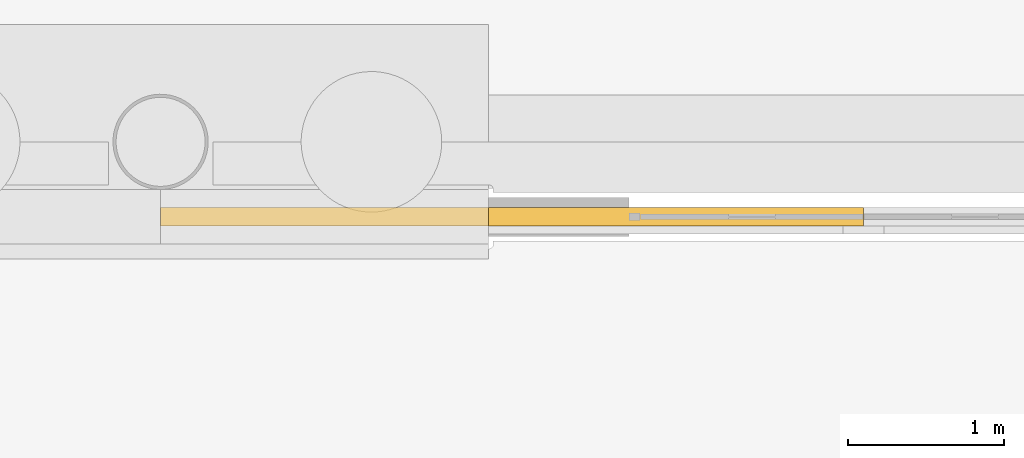
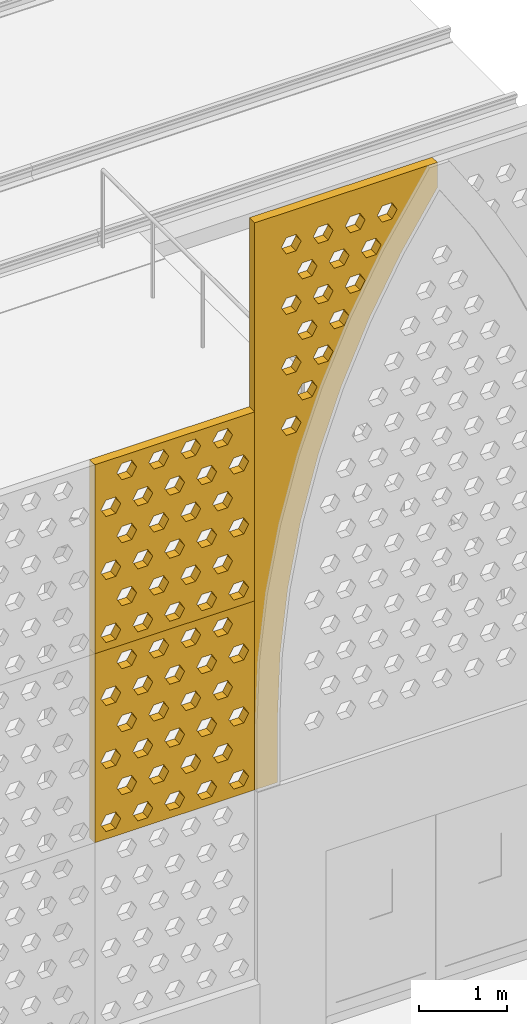
# One storey, part 212 of 250: 3 shading devices.
"""IFC4 building model written with IfcOpenShell, lengths in metres."""

from ifc_helpers import new_model, si_unit, direction, frame, origin, place, context, subcontext, project, spatial, polyline, outline, extrude, material, layer, layer_set, type_object, element, save


model = new_model("IFC4")

# Units and contexts
model_context = context("Model", 3, precision=1e-05, world=origin(), true_north=direction((0.0, 1.0)))
body_context = subcontext(model_context, "Body", "Model", "MODEL_VIEW")
ifc_project = project(units=[si_unit("LENGTHUNIT", "METRE"), si_unit("AREAUNIT", "SQUARE_METRE"), si_unit("VOLUMEUNIT", "CUBIC_METRE"), si_unit("PLANEANGLEUNIT", "RADIAN"), si_unit("MASSUNIT", "GRAM", prefix="KILO")], contexts=[model_context])

# Site, building, storey
site_placement = place(None, origin())
site = spatial("IfcSite", under=ifc_project, at=site_placement, CompositionType="ELEMENT")
building_placement = place(site_placement, origin())
building = spatial("IfcBuilding", under=site, at=building_placement, Name="Baradari Gate Terminus", CompositionType="ELEMENT")
storey_placement = place(building_placement, origin())
storey = spatial("IfcBuildingStorey", under=building, at=storey_placement, Name="L00", CompositionType="ELEMENT", Elevation=0.0)

# Shading devices
ifc_material = material(Name="Concrete C50/60 precast", Category="concrete")
ifc_layer = layer(ifc_material, 0.1201171875)
ifc_layer_set = layer_set([ifc_layer], Name="Concrete C50/60 precast")
shading_device_type = type_object("IfcShadingDeviceType", Name="Jali screen panel JS-2 120", PredefinedType="SHUTTER", material=ifc_layer_set)
shading_device_1_placement = place(storey_placement, frame((234.0, 35.52001953125, 3.52490234375), z_axis=(0.0, 0.0, 1.0), x_axis=(1.0, 0.0, 0.0)))
element("IfcShadingDevice", 1, at=shading_device_1_placement, inside=storey, type_object=shading_device_type, Name="Jali screen panel JS-2 SC09a row 2 panel 1", PredefinedType="SHUTTER", context=body_context, shape_type="SweptSolid", body=[
    extrude(outline(polyline([(0.0, 0.0), (2.10009765625, 0.0), (2.10009765625, 2.625), (0.0, 2.625), (0.0, 0.0)]), holes=[polyline([(0.340087890625, 0.21875), (0.27490234375, 0.106201171875), (0.14501953125, 0.106201171875), (0.080078125, 0.21875), (0.14501953125, 0.33154296875), (0.27490234375, 0.33154296875), (0.340087890625, 0.21875)]), polyline([(0.760009765625, 0.21875), (0.695068359375, 0.106201171875), (0.56494140625, 0.106201171875), (0.5, 0.21875), (0.56494140625, 0.33154296875), (0.695068359375, 0.33154296875), (0.760009765625, 0.21875)]), polyline([(1.179931640625, 0.21875), (1.114990234375, 0.106201171875), (0.985107421875, 0.106201171875), (0.919921875, 0.21875), (0.985107421875, 0.33154296875), (1.114990234375, 0.33154296875), (1.179931640625, 0.21875)]), polyline([(1.60009765625, 0.21875), (1.534912109375, 0.106201171875), (1.405029296875, 0.106201171875), (1.340087890625, 0.21875), (1.405029296875, 0.33154296875), (1.534912109375, 0.33154296875), (1.60009765625, 0.21875)]), polyline([(2.02001953125, 0.21875), (1.955078125, 0.106201171875), (1.824951171875, 0.106201171875), (1.760009765625, 0.21875), (1.824951171875, 0.33154296875), (1.955078125, 0.33154296875), (2.02001953125, 0.21875)]), polyline([(0.550048828125, 0.65625), (0.485107421875, 0.543701171875), (0.35498046875, 0.543701171875), (0.2900390625, 0.65625), (0.35498046875, 0.76904296875), (0.485107421875, 0.76904296875), (0.550048828125, 0.65625)]), polyline([(0.969970703125, 0.65625), (0.905029296875, 0.543701171875), (0.77490234375, 0.543701171875), (0.7099609375, 0.65625), (0.77490234375, 0.76904296875), (0.905029296875, 0.76904296875), (0.969970703125, 0.65625)]), polyline([(1.389892578125, 0.65625), (1.324951171875, 0.543701171875), (1.195068359375, 0.543701171875), (1.1298828125, 0.65625), (1.195068359375, 0.76904296875), (1.324951171875, 0.76904296875), (1.389892578125, 0.65625)]), polyline([(1.81005859375, 0.65625), (1.7451171875, 0.543701171875), (1.614990234375, 0.543701171875), (1.550048828125, 0.65625), (1.614990234375, 0.76904296875), (1.7451171875, 0.76904296875), (1.81005859375, 0.65625)]), polyline([(0.340087890625, 1.09375), (0.27490234375, 0.981201171875), (0.14501953125, 0.981201171875), (0.080078125, 1.09375), (0.14501953125, 1.20654296875), (0.27490234375, 1.20654296875), (0.340087890625, 1.09375)]), polyline([(0.760009765625, 1.09375), (0.695068359375, 0.981201171875), (0.56494140625, 0.981201171875), (0.5, 1.09375), (0.56494140625, 1.20654296875), (0.695068359375, 1.20654296875), (0.760009765625, 1.09375)]), polyline([(1.179931640625, 1.09375), (1.114990234375, 0.981201171875), (0.985107421875, 0.981201171875), (0.919921875, 1.09375), (0.985107421875, 1.20654296875), (1.114990234375, 1.20654296875), (1.179931640625, 1.09375)]), polyline([(1.60009765625, 1.09375), (1.534912109375, 0.981201171875), (1.405029296875, 0.981201171875), (1.340087890625, 1.09375), (1.405029296875, 1.20654296875), (1.534912109375, 1.20654296875), (1.60009765625, 1.09375)]), polyline([(2.02001953125, 1.09375), (1.955078125, 0.981201171875), (1.824951171875, 0.981201171875), (1.760009765625, 1.09375), (1.824951171875, 1.20654296875), (1.955078125, 1.20654296875), (2.02001953125, 1.09375)]), polyline([(0.550048828125, 1.53125), (0.485107421875, 1.418701171875), (0.35498046875, 1.418701171875), (0.2900390625, 1.53125), (0.35498046875, 1.64404296875), (0.485107421875, 1.64404296875), (0.550048828125, 1.53125)]), polyline([(0.969970703125, 1.53125), (0.905029296875, 1.418701171875), (0.77490234375, 1.418701171875), (0.7099609375, 1.53125), (0.77490234375, 1.64404296875), (0.905029296875, 1.64404296875), (0.969970703125, 1.53125)]), polyline([(1.389892578125, 1.53125), (1.324951171875, 1.418701171875), (1.195068359375, 1.418701171875), (1.1298828125, 1.53125), (1.195068359375, 1.64404296875), (1.324951171875, 1.64404296875), (1.389892578125, 1.53125)]), polyline([(1.81005859375, 1.53125), (1.7451171875, 1.418701171875), (1.614990234375, 1.418701171875), (1.550048828125, 1.53125), (1.614990234375, 1.64404296875), (1.7451171875, 1.64404296875), (1.81005859375, 1.53125)]), polyline([(0.340087890625, 1.96875), (0.27490234375, 1.856201171875), (0.14501953125, 1.856201171875), (0.080078125, 1.96875), (0.14501953125, 2.08154296875), (0.27490234375, 2.08154296875), (0.340087890625, 1.96875)]), polyline([(0.760009765625, 1.96875), (0.695068359375, 1.856201171875), (0.56494140625, 1.856201171875), (0.5, 1.96875), (0.56494140625, 2.08154296875), (0.695068359375, 2.08154296875), (0.760009765625, 1.96875)]), polyline([(1.179931640625, 1.96875), (1.114990234375, 1.856201171875), (0.985107421875, 1.856201171875), (0.919921875, 1.96875), (0.985107421875, 2.08154296875), (1.114990234375, 2.08154296875), (1.179931640625, 1.96875)]), polyline([(1.60009765625, 1.96875), (1.534912109375, 1.856201171875), (1.405029296875, 1.856201171875), (1.340087890625, 1.96875), (1.405029296875, 2.08154296875), (1.534912109375, 2.08154296875), (1.60009765625, 1.96875)]), polyline([(2.02001953125, 1.96875), (1.955078125, 1.856201171875), (1.824951171875, 1.856201171875), (1.760009765625, 1.96875), (1.824951171875, 2.08154296875), (1.955078125, 2.08154296875), (2.02001953125, 1.96875)]), polyline([(0.550048828125, 2.40625), (0.485107421875, 2.293701171875), (0.35498046875, 2.293701171875), (0.2900390625, 2.40625), (0.35498046875, 2.51904296875), (0.485107421875, 2.51904296875), (0.550048828125, 2.40625)]), polyline([(0.969970703125, 2.40625), (0.905029296875, 2.293701171875), (0.77490234375, 2.293701171875), (0.7099609375, 2.40625), (0.77490234375, 2.51904296875), (0.905029296875, 2.51904296875), (0.969970703125, 2.40625)]), polyline([(1.389892578125, 2.40625), (1.324951171875, 2.293701171875), (1.195068359375, 2.293701171875), (1.1298828125, 2.40625), (1.195068359375, 2.51904296875), (1.324951171875, 2.51904296875), (1.389892578125, 2.40625)]), polyline([(1.81005859375, 2.40625), (1.7451171875, 2.293701171875), (1.614990234375, 2.293701171875), (1.550048828125, 2.40625), (1.614990234375, 2.51904296875), (1.7451171875, 2.51904296875), (1.81005859375, 2.40625)])]), frame((0.0, 0.06005859375, 0.0), z_axis=(0.0, -1.0, 0.0), x_axis=(1.0, 0.0, 0.0)), (0.0, 0.0, 1.0), 0.1201171875),
])
shading_device_2_placement = place(storey_placement, frame((234.0, 35.52001953125, 6.14990234375), z_axis=(0.0, 0.0, 1.0), x_axis=(1.0, 0.0, 0.0)))
element("IfcShadingDevice", 2, at=shading_device_2_placement, inside=storey, type_object=shading_device_type, Name="Jali screen panel JS-2 SC09a row 3 panel 1", PredefinedType="SHUTTER", context=body_context, shape_type="SweptSolid", body=[
    extrude(outline(polyline([(0.0, 0.0), (2.10009765625, 0.0), (2.10009765625, 2.625), (0.0, 2.625), (0.0, 0.0)]), holes=[polyline([(0.340087890625, 0.21875), (0.27490234375, 0.106201171875), (0.14501953125, 0.106201171875), (0.080078125, 0.21875), (0.14501953125, 0.33154296875), (0.27490234375, 0.33154296875), (0.340087890625, 0.21875)]), polyline([(0.760009765625, 0.21875), (0.695068359375, 0.106201171875), (0.56494140625, 0.106201171875), (0.5, 0.21875), (0.56494140625, 0.33154296875), (0.695068359375, 0.33154296875), (0.760009765625, 0.21875)]), polyline([(1.179931640625, 0.21875), (1.114990234375, 0.106201171875), (0.985107421875, 0.106201171875), (0.919921875, 0.21875), (0.985107421875, 0.33154296875), (1.114990234375, 0.33154296875), (1.179931640625, 0.21875)]), polyline([(1.60009765625, 0.21875), (1.534912109375, 0.106201171875), (1.405029296875, 0.106201171875), (1.340087890625, 0.21875), (1.405029296875, 0.33154296875), (1.534912109375, 0.33154296875), (1.60009765625, 0.21875)]), polyline([(2.02001953125, 0.21875), (1.955078125, 0.106201171875), (1.824951171875, 0.106201171875), (1.760009765625, 0.21875), (1.824951171875, 0.33154296875), (1.955078125, 0.33154296875), (2.02001953125, 0.21875)]), polyline([(0.550048828125, 0.65625), (0.485107421875, 0.543701171875), (0.35498046875, 0.543701171875), (0.2900390625, 0.65625), (0.35498046875, 0.76904296875), (0.485107421875, 0.76904296875), (0.550048828125, 0.65625)]), polyline([(0.969970703125, 0.65625), (0.905029296875, 0.543701171875), (0.77490234375, 0.543701171875), (0.7099609375, 0.65625), (0.77490234375, 0.76904296875), (0.905029296875, 0.76904296875), (0.969970703125, 0.65625)]), polyline([(1.389892578125, 0.65625), (1.324951171875, 0.543701171875), (1.195068359375, 0.543701171875), (1.1298828125, 0.65625), (1.195068359375, 0.76904296875), (1.324951171875, 0.76904296875), (1.389892578125, 0.65625)]), polyline([(1.81005859375, 0.65625), (1.7451171875, 0.543701171875), (1.614990234375, 0.543701171875), (1.550048828125, 0.65625), (1.614990234375, 0.76904296875), (1.7451171875, 0.76904296875), (1.81005859375, 0.65625)]), polyline([(0.340087890625, 1.09375), (0.27490234375, 0.981201171875), (0.14501953125, 0.981201171875), (0.080078125, 1.09375), (0.14501953125, 1.20654296875), (0.27490234375, 1.20654296875), (0.340087890625, 1.09375)]), polyline([(0.760009765625, 1.09375), (0.695068359375, 0.981201171875), (0.56494140625, 0.981201171875), (0.5, 1.09375), (0.56494140625, 1.20654296875), (0.695068359375, 1.20654296875), (0.760009765625, 1.09375)]), polyline([(1.179931640625, 1.09375), (1.114990234375, 0.981201171875), (0.985107421875, 0.981201171875), (0.919921875, 1.09375), (0.985107421875, 1.20654296875), (1.114990234375, 1.20654296875), (1.179931640625, 1.09375)]), polyline([(1.60009765625, 1.09375), (1.534912109375, 0.981201171875), (1.405029296875, 0.981201171875), (1.340087890625, 1.09375), (1.405029296875, 1.20654296875), (1.534912109375, 1.20654296875), (1.60009765625, 1.09375)]), polyline([(2.02001953125, 1.09375), (1.955078125, 0.981201171875), (1.824951171875, 0.981201171875), (1.760009765625, 1.09375), (1.824951171875, 1.20654296875), (1.955078125, 1.20654296875), (2.02001953125, 1.09375)]), polyline([(0.550048828125, 1.53125), (0.485107421875, 1.418701171875), (0.35498046875, 1.418701171875), (0.2900390625, 1.53125), (0.35498046875, 1.64404296875), (0.485107421875, 1.64404296875), (0.550048828125, 1.53125)]), polyline([(0.969970703125, 1.53125), (0.905029296875, 1.418701171875), (0.77490234375, 1.418701171875), (0.7099609375, 1.53125), (0.77490234375, 1.64404296875), (0.905029296875, 1.64404296875), (0.969970703125, 1.53125)]), polyline([(1.389892578125, 1.53125), (1.324951171875, 1.418701171875), (1.195068359375, 1.418701171875), (1.1298828125, 1.53125), (1.195068359375, 1.64404296875), (1.324951171875, 1.64404296875), (1.389892578125, 1.53125)]), polyline([(1.81005859375, 1.53125), (1.7451171875, 1.418701171875), (1.614990234375, 1.418701171875), (1.550048828125, 1.53125), (1.614990234375, 1.64404296875), (1.7451171875, 1.64404296875), (1.81005859375, 1.53125)]), polyline([(0.340087890625, 1.96875), (0.27490234375, 1.856201171875), (0.14501953125, 1.856201171875), (0.080078125, 1.96875), (0.14501953125, 2.08154296875), (0.27490234375, 2.08154296875), (0.340087890625, 1.96875)]), polyline([(0.760009765625, 1.96875), (0.695068359375, 1.856201171875), (0.56494140625, 1.856201171875), (0.5, 1.96875), (0.56494140625, 2.08154296875), (0.695068359375, 2.08154296875), (0.760009765625, 1.96875)]), polyline([(1.179931640625, 1.96875), (1.114990234375, 1.856201171875), (0.985107421875, 1.856201171875), (0.919921875, 1.96875), (0.985107421875, 2.08154296875), (1.114990234375, 2.08154296875), (1.179931640625, 1.96875)]), polyline([(1.60009765625, 1.96875), (1.534912109375, 1.856201171875), (1.405029296875, 1.856201171875), (1.340087890625, 1.96875), (1.405029296875, 2.08154296875), (1.534912109375, 2.08154296875), (1.60009765625, 1.96875)]), polyline([(2.02001953125, 1.96875), (1.955078125, 1.856201171875), (1.824951171875, 1.856201171875), (1.760009765625, 1.96875), (1.824951171875, 2.08154296875), (1.955078125, 2.08154296875), (2.02001953125, 1.96875)]), polyline([(0.550048828125, 2.40625), (0.485107421875, 2.293701171875), (0.35498046875, 2.293701171875), (0.2900390625, 2.40625), (0.35498046875, 2.51904296875), (0.485107421875, 2.51904296875), (0.550048828125, 2.40625)]), polyline([(0.969970703125, 2.40625), (0.905029296875, 2.293701171875), (0.77490234375, 2.293701171875), (0.7099609375, 2.40625), (0.77490234375, 2.51904296875), (0.905029296875, 2.51904296875), (0.969970703125, 2.40625)]), polyline([(1.389892578125, 2.40625), (1.324951171875, 2.293701171875), (1.195068359375, 2.293701171875), (1.1298828125, 2.40625), (1.195068359375, 2.51904296875), (1.324951171875, 2.51904296875), (1.389892578125, 2.40625)]), polyline([(1.81005859375, 2.40625), (1.7451171875, 2.293701171875), (1.614990234375, 2.293701171875), (1.550048828125, 2.40625), (1.614990234375, 2.51904296875), (1.7451171875, 2.51904296875), (1.81005859375, 2.40625)])]), frame((0.0, 0.06005859375, 0.0), z_axis=(0.0, -1.0, 0.0), x_axis=(1.0, 0.0, 0.0)), (0.0, 0.0, 1.0), 0.1201171875),
])
shading_device_3_placement = place(storey_placement, frame((236.10009765625, 35.52001953125, 3.52490234375), z_axis=(0.0, 0.0, 1.0), x_axis=(1.0, 0.0, 0.0)))
element("IfcShadingDevice", 3, at=shading_device_3_placement, inside=storey, type_object=shading_device_type, Name="Jali screen panel JS-2 SC09b arch L1", PredefinedType="SHUTTER", context=body_context, shape_type="SweptSolid", body=[
    extrude(outline(polyline([(0.0, 0.0), (0.300048828125, 0.0), (0.300048828125, 0.900146484375), (0.333740234375, 1.78173828125), (0.435302734375, 2.658203125), (0.603515625, 3.5244140625), (0.837646484375, 4.375), (1.13623046875, 5.205322265625), (1.49755859375, 6.01025390625), (1.919677734375, 6.784912109375), (2.39990234375, 7.525146484375), (2.39990234375, 7.875), (0.0, 7.875), (0.0, 0.0)]), holes=[polyline([(0.610107421875, 4.89013671875), (0.544921875, 4.777587890625), (0.4150390625, 4.777587890625), (0.35009765625, 4.89013671875), (0.4150390625, 5.002685546875), (0.544921875, 5.002685546875), (0.610107421875, 4.89013671875)]), polyline([(0.820068359375, 5.31005859375), (0.7548828125, 5.197509765625), (0.625, 5.197509765625), (0.56005859375, 5.31005859375), (0.625, 5.422607421875), (0.7548828125, 5.422607421875), (0.820068359375, 5.31005859375)]), polyline([(0.610107421875, 5.72998046875), (0.544921875, 5.617431640625), (0.4150390625, 5.617431640625), (0.35009765625, 5.72998046875), (0.4150390625, 5.8427734375), (0.544921875, 5.8427734375), (0.610107421875, 5.72998046875)]), polyline([(1.030029296875, 5.72998046875), (0.965087890625, 5.617431640625), (0.8349609375, 5.617431640625), (0.77001953125, 5.72998046875), (0.8349609375, 5.8427734375), (0.965087890625, 5.8427734375), (1.030029296875, 5.72998046875)]), polyline([(0.820068359375, 6.150146484375), (0.7548828125, 6.03759765625), (0.625, 6.03759765625), (0.56005859375, 6.150146484375), (0.625, 6.2626953125), (0.7548828125, 6.2626953125), (0.820068359375, 6.150146484375)]), polyline([(1.239990234375, 6.150146484375), (1.175048828125, 6.03759765625), (1.044921875, 6.03759765625), (0.97998046875, 6.150146484375), (1.044921875, 6.2626953125), (1.175048828125, 6.2626953125), (1.239990234375, 6.150146484375)]), polyline([(0.610107421875, 6.570068359375), (0.544921875, 6.45751953125), (0.4150390625, 6.45751953125), (0.35009765625, 6.570068359375), (0.4150390625, 6.6826171875), (0.544921875, 6.6826171875), (0.610107421875, 6.570068359375)]), polyline([(1.030029296875, 6.570068359375), (0.965087890625, 6.45751953125), (0.8349609375, 6.45751953125), (0.77001953125, 6.570068359375), (0.8349609375, 6.6826171875), (0.965087890625, 6.6826171875), (1.030029296875, 6.570068359375)]), polyline([(1.449951171875, 6.570068359375), (1.385009765625, 6.45751953125), (1.2548828125, 6.45751953125), (1.18994140625, 6.570068359375), (1.2548828125, 6.6826171875), (1.385009765625, 6.6826171875), (1.449951171875, 6.570068359375)]), polyline([(0.820068359375, 6.989990234375), (0.7548828125, 6.87744140625), (0.625, 6.87744140625), (0.56005859375, 6.989990234375), (0.625, 7.102783203125), (0.7548828125, 7.102783203125), (0.820068359375, 6.989990234375)]), polyline([(1.239990234375, 6.989990234375), (1.175048828125, 6.87744140625), (1.044921875, 6.87744140625), (0.97998046875, 6.989990234375), (1.044921875, 7.102783203125), (1.175048828125, 7.102783203125), (1.239990234375, 6.989990234375)]), polyline([(1.659912109375, 6.989990234375), (1.594970703125, 6.87744140625), (1.465087890625, 6.87744140625), (1.39990234375, 6.989990234375), (1.465087890625, 7.102783203125), (1.594970703125, 7.102783203125), (1.659912109375, 6.989990234375)]), polyline([(0.610107421875, 7.41015625), (0.544921875, 7.297607421875), (0.4150390625, 7.297607421875), (0.35009765625, 7.41015625), (0.4150390625, 7.522705078125), (0.544921875, 7.522705078125), (0.610107421875, 7.41015625)]), polyline([(1.030029296875, 7.41015625), (0.965087890625, 7.297607421875), (0.8349609375, 7.297607421875), (0.77001953125, 7.41015625), (0.8349609375, 7.522705078125), (0.965087890625, 7.522705078125), (1.030029296875, 7.41015625)]), polyline([(1.449951171875, 7.41015625), (1.385009765625, 7.297607421875), (1.2548828125, 7.297607421875), (1.18994140625, 7.41015625), (1.2548828125, 7.522705078125), (1.385009765625, 7.522705078125), (1.449951171875, 7.41015625)]), polyline([(1.8701171875, 7.41015625), (1.804931640625, 7.297607421875), (1.675048828125, 7.297607421875), (1.610107421875, 7.41015625), (1.675048828125, 7.522705078125), (1.804931640625, 7.522705078125), (1.8701171875, 7.41015625)])]), frame((0.0, 0.06005859375, 0.0), z_axis=(0.0, -1.0, 0.0), x_axis=(1.0, 0.0, 0.0)), (0.0, 0.0, 1.0), 0.1201171875),
])

save(model, "model.ifc")
